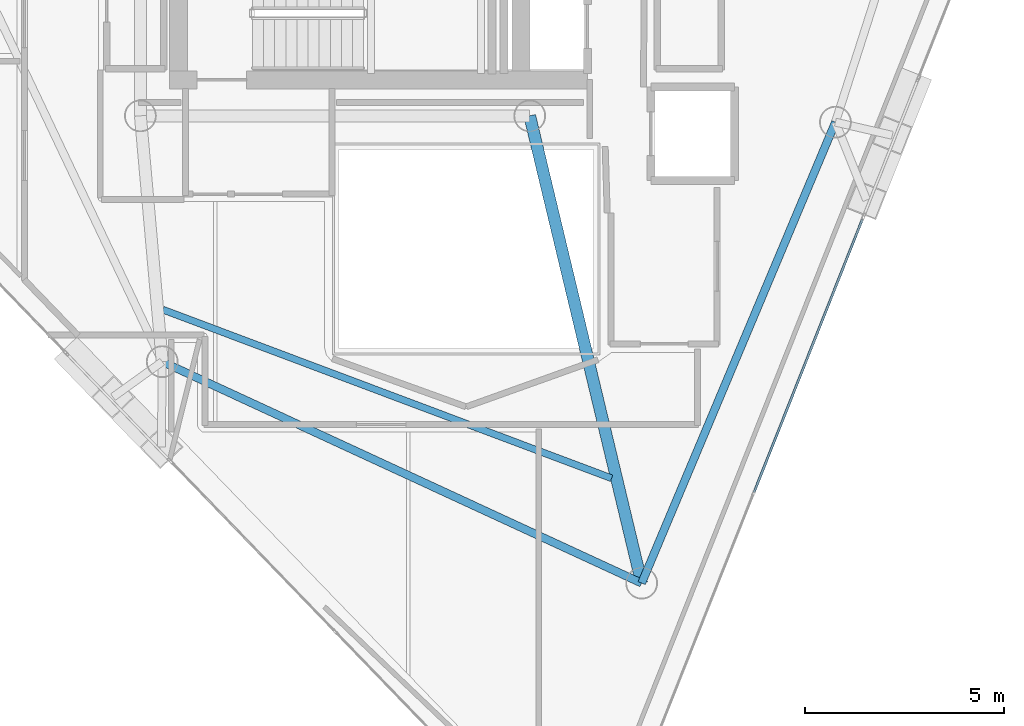
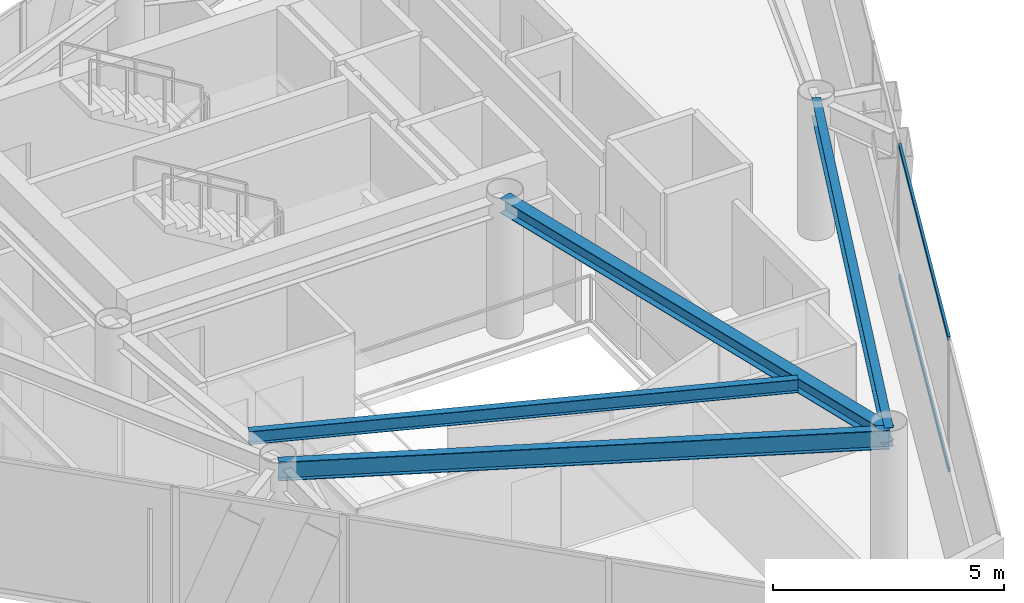
# One storey, part 5 of 18: 4 beams, 2 members, 1 element without a shape of its own.
"""IFC4 building model written with IfcOpenShell, lengths in metres."""

from ifc_helpers import new_model, si_unit, direction, frame, origin, origin_2d, place, context, subcontext, project, spatial, hollow_rectangle, i_section, extrude, material, layer, layer_set, material_profile, profile_set, type_object, element, aggregate, save


model = new_model("IFC4")

# Units and contexts
model_context = context("Model", 3, precision=1e-05, world=origin(), true_north=direction((0.0, 1.0)))
body_context = subcontext(model_context, "Body", "Model", "MODEL_VIEW")
ifc_project = project(units=[si_unit("LENGTHUNIT", "METRE"), si_unit("AREAUNIT", "SQUARE_METRE"), si_unit("VOLUMEUNIT", "CUBIC_METRE"), si_unit("PLANEANGLEUNIT", "RADIAN"), si_unit("MASSUNIT", "GRAM", prefix="KILO")], contexts=[model_context])

# Site, building, storey
site_placement = place(None, origin())
site = spatial("IfcSite", under=ifc_project, at=site_placement, CompositionType="ELEMENT")
building_placement = place(site_placement, origin())
building = spatial("IfcBuilding", under=site, at=building_placement, Name="Qianvela Tower", CompositionType="ELEMENT")
storey_placement = place(building_placement, frame((0.0, 0.0, 337.0)))
storey = spatial("IfcBuildingStorey", under=building, at=storey_placement, Name="L87", CompositionType="ELEMENT", Elevation=337.0)

# Beams
ifc_material_1 = material(Name="Steel Q355B", Category="steel")
ifc_material_profile_1 = material_profile(ifc_material_1, i_section(OverallWidth=0.300048828125, OverallDepth=0.389892578125, WebThickness=0.010009765625, FlangeThickness=0.01611328125, at=origin_2d()), Name="HM390x300x10x16")
ifc_profile_set_1 = profile_set([ifc_material_profile_1], Name="Steel Q355B")
beam_type_1 = type_object("IfcBeamType", Name="BM-HM390-COLL", PredefinedType="BEAM", material=ifc_profile_set_1)
beam_1_placement = place(storey_placement, frame((38.39990234375, 23.85009765625, 3.322998046875), z_axis=(0.232920204523, -0.97249585003, 0.0), x_axis=(0.97249585003, 0.232920204523, 0.0)))
element("IfcBeam", 1, at=beam_1_placement, inside=storey, type_object=beam_type_1, Name="L87 Radial Primary Floor Girder 5", PredefinedType="BEAM", context=body_context, shape_type="SweptSolid", body=[
    extrude(i_section(OverallWidth=0.300048828125, OverallDepth=0.389892578125, WebThickness=0.010009765625, FlangeThickness=0.01611328125, at=origin_2d()), origin(), (0.0, 0.0, 1.0), 12.094970703125),
])
ifc_material_2 = material(Name="Steel Q355B", Category="steel")
ifc_material_profile_2 = material_profile(ifc_material_2, i_section(OverallWidth=0.175048828125, OverallDepth=0.35009765625, WebThickness=0.007080078125, FlangeThickness=0.010986328125, at=origin_2d()), Name="HN350x175x7x11")
ifc_profile_set_2 = profile_set([ifc_material_profile_2], Name="Steel Q355B")
beam_type_2 = type_object("IfcBeamType", Name="BM-HN350-JOIST", PredefinedType="JOIST", material=ifc_profile_set_2)
beam_2_placement = place(storey_placement, frame((29.165771484375, 18.971923828125, 3.343017578125), z_axis=(0.936076156518, -0.351797426366, 0.0), x_axis=(0.351797426366, 0.936076156518, 0.0)))
element("IfcBeam", 2, at=beam_2_placement, inside=storey, type_object=beam_type_2, Name="L87 Secondary Composite Floor Joist 4.3", PredefinedType="JOIST", context=body_context, shape_type="SweptSolid", body=[
    extrude(i_section(OverallWidth=0.175048828125, OverallDepth=0.35009765625, WebThickness=0.007080078125, FlangeThickness=0.010986328125, at=origin_2d()), origin(), (0.0, 0.0, 1.0), 12.066162109375),
])
ifc_material_3 = material(Name="Steel Q355B", Category="steel")
ifc_material_profile_3 = material_profile(ifc_material_3, i_section(OverallWidth=0.199951171875, OverallDepth=0.5, WebThickness=0.010009765625, FlangeThickness=0.01611328125, at=origin_2d()), Name="HN500x200x10x16")
ifc_profile_set_3 = profile_set([ifc_material_profile_3], Name="Steel Q355B")
beam_type_3 = type_object("IfcBeamType", Name="BM-HN500-GIRD", PredefinedType="BEAM", material=ifc_profile_set_3)
beam_3_placement = place(storey_placement, frame((29.14990234375, 17.662109375, 3.26806640625), z_axis=(0.907822793776, -0.419353997359, 0.0), x_axis=(0.419353997359, 0.907822793776, 0.0)))
element("IfcBeam", 3, at=beam_3_placement, inside=storey, type_object=beam_type_3, Name="L87 Perimeter Ring Spandrel Girder 4", PredefinedType="BEAM", context=body_context, shape_type="SweptSolid", body=[
    extrude(i_section(OverallWidth=0.199951171875, OverallDepth=0.5, WebThickness=0.010009765625, FlangeThickness=0.01611328125, at=origin_2d()), origin(), (0.0, 0.0, 1.0), 13.29248046875),
])
beam_4_placement = place(storey_placement, frame((41.217041015625, 12.087890625, 3.26806640625), z_axis=(0.387547057173, 0.921849921883, 0.0), x_axis=(-0.921849921883, 0.387547057173, 0.0)))
element("IfcBeam", 4, at=beam_4_placement, inside=storey, type_object=beam_type_3, Name="L87 Perimeter Ring Spandrel Girder 5", PredefinedType="BEAM", context=body_context, shape_type="SweptSolid", body=[
    extrude(i_section(OverallWidth=0.199951171875, OverallDepth=0.5, WebThickness=0.010009765625, FlangeThickness=0.01611328125, at=origin_2d()), origin(), (0.0, 0.0, 1.0), 12.586669921875),
])

# Curtain wall, members
ifc_material_4 = material(Name="Anodised Architectural Aluminium and Low-E Glass", Category="aluminium")
ifc_layer = layer(ifc_material_4, 0.14990234375)
ifc_layer_set = layer_set([ifc_layer], Name="Anodised Architectural Aluminium and Low-E Glass")
curtain_wall_type = type_object("IfcCurtainWallType", Name="CW-COLIV-Z78", PredefinedType="USERDEFINED", material=ifc_layer_set)
curtain_wall_placement = place(storey_placement, origin())
curtain_wall = element("IfcCurtainWall", 5, at=curtain_wall_placement, inside=storey, type_object=curtain_wall_type, Name="L87 CW-COLIV-Z78 Curtain Wall 06A", ObjectType="CURTAIN_WALL_SYSTEM", PredefinedType="USERDEFINED")
ifc_material_5 = material(Name="Anodised Architectural Aluminium 6063-T6", Category="aluminium")
ifc_material_profile_4 = material_profile(ifc_material_5, hollow_rectangle(XDim=0.06005859375, YDim=0.114990234375, WallThickness=0.00390625, at=origin_2d()), Name="ALU-TRAN-60x115")
ifc_profile_set_4 = profile_set([ifc_material_profile_4], Name="Anodised Architectural Aluminium 6063-T6")
member_type = type_object("IfcMemberType", Name="CW-COLIV-Z78-TRAN", PredefinedType="USERDEFINED", material=ifc_profile_set_4)
member_1_placement = place(storey_placement, frame((44.047119140625, 14.376953125, 0.030029296875), z_axis=(0.368898561364, 0.929469661379, 0.0), x_axis=(-0.929469661379, 0.368898561364, 0.0)))
member_1 = element("IfcMember", 6, at=member_1_placement, type_object=member_type, Name="CW-6 transom 2.1", ObjectType="TRANSOM", PredefinedType="USERDEFINED", context=body_context, shape_type="SweptSolid", body=[
    extrude(hollow_rectangle(XDim=0.06005859375, YDim=0.114990234375, WallThickness=0.00390625, at=origin_2d()), origin(), (0.0, 0.0, 1.0), 7.38525390625),
])
member_2_placement = place(storey_placement, frame((44.047119140625, 14.376953125, 3.489990234375), z_axis=(0.368898561364, 0.929469661379, 0.0), x_axis=(-0.929469661379, 0.368898561364, 0.0)))
member_2 = element("IfcMember", 7, at=member_2_placement, type_object=member_type, Name="CW-6 transom 2.2", ObjectType="TRANSOM", PredefinedType="USERDEFINED", context=body_context, shape_type="SweptSolid", body=[
    extrude(hollow_rectangle(XDim=0.06005859375, YDim=0.114990234375, WallThickness=0.00390625, at=origin_2d()), origin(), (0.0, 0.0, 1.0), 7.38525390625),
])
aggregate(curtain_wall, [member_1, member_2])

save(model, "model.ifc")
